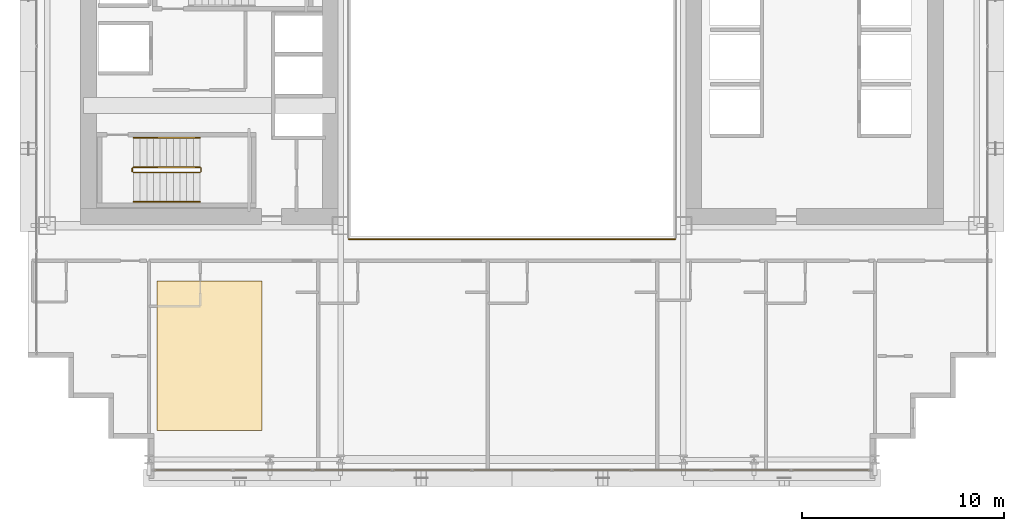
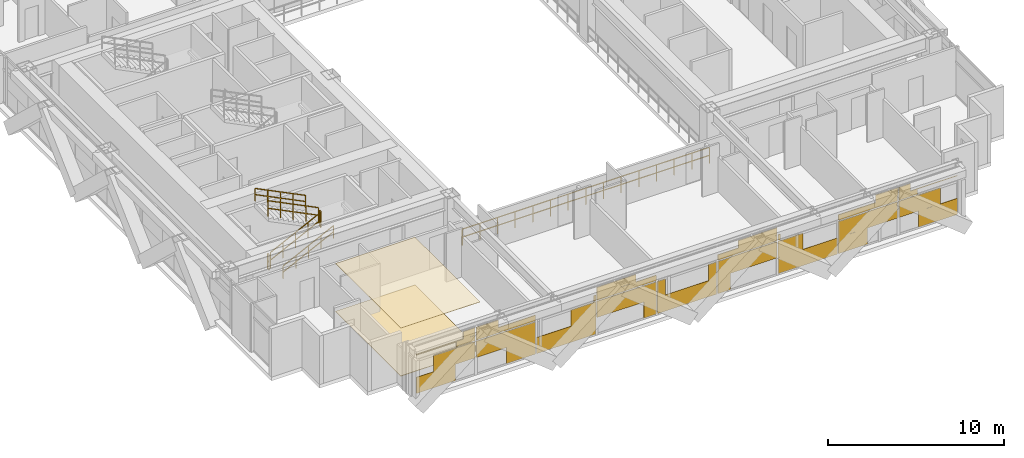
# One storey, part 32 of 35: 7 railings, 3 coverings.
"""IFC4 building model written with IfcOpenShell, lengths in metres."""

from ifc_helpers import new_model, si_unit, direction, frame, origin, origin_2d, place, context, subcontext, project, spatial, polyline, rectangle, outline, extrude, material, layer, layer_set, type_object, element, save


model = new_model("IFC4")

# Units and contexts
model_context = context("Model", 3, precision=1e-05, world=origin(), true_north=direction((0.0, 1.0)))
body_context = subcontext(model_context, "Body", "Model", "MODEL_VIEW")
ifc_project = project(units=[si_unit("LENGTHUNIT", "METRE"), si_unit("AREAUNIT", "SQUARE_METRE"), si_unit("VOLUMEUNIT", "CUBIC_METRE"), si_unit("PLANEANGLEUNIT", "RADIAN"), si_unit("MASSUNIT", "GRAM", prefix="KILO")], contexts=[model_context])

# Site, building, storey
site_placement = place(None, origin())
site = spatial("IfcSite", under=ifc_project, at=site_placement, CompositionType="ELEMENT")
building_placement = place(site_placement, origin())
building = spatial("IfcBuilding", under=site, at=building_placement, Name="Ocotamira Hotel", CompositionType="ELEMENT")
storey_placement = place(building_placement, frame((0.0, 0.0, 63.60009765625)))
storey = spatial("IfcBuildingStorey", under=building, at=storey_placement, Name="L15", CompositionType="ELEMENT", Elevation=63.60009765625)

# Coverings
ifc_material_1 = material(Name="Perforated acoustic gypsum ceiling board", Category="gypsum")
ifc_layer_1 = layer(ifc_material_1, 0.02490234375)
ifc_layer_set_1 = layer_set([ifc_layer_1], Name="Perforated acoustic gypsum ceiling board")
covering_type_1 = type_object("IfcCoveringType", Name="COV-CEIL-25", PredefinedType="CEILING", material=ifc_layer_set_1)
covering_1_placement = place(storey_placement, frame((0.0, 0.0, 3.324951171875)))
element("IfcCovering", 1, at=covering_1_placement, inside=storey, type_object=covering_type_1, Name="L15 Acoustic Ceiling", PredefinedType="CEILING", context=body_context, shape_type="SweptSolid", body=[
    extrude(outline(polyline([(14.39990234375, 4.39990234375), (19.60009765625, 4.39990234375), (19.60009765625, 11.800048828125), (14.39990234375, 11.800048828125), (14.39990234375, 4.39990234375)])), origin(), (0.0, 0.0, 1.0), 0.02490234375),
])
ifc_material_2 = material(Name="Honed desert travertine stone flooring", Category="masonry")
ifc_layer_2 = layer(ifc_material_2, 0.030029296875)
ifc_layer_set_2 = layer_set([ifc_layer_2], Name="Honed desert travertine stone flooring")
covering_type_2 = type_object("IfcCoveringType", Name="COV-FLOR-30", PredefinedType="FLOORING", material=ifc_layer_set_2)
covering_2_placement = place(storey_placement, origin())
element("IfcCovering", 2, at=covering_2_placement, inside=storey, type_object=covering_type_2, Name="L15 Honed Stone Floor Finish", PredefinedType="FLOORING", context=body_context, shape_type="SweptSolid", body=[
    extrude(outline(polyline([(14.39990234375, 4.39990234375), (19.60009765625, 4.39990234375), (19.60009765625, 11.800048828125), (14.39990234375, 11.800048828125), (14.39990234375, 4.39990234375)])), origin(), (0.0, 0.0, 1.0), 0.02978515625),
])
ifc_material_3 = material(Name="Insulated pale-metal aluminium spandrel panel", Category="aluminium")
ifc_layer_3 = layer(ifc_material_3, 0.044921875)
ifc_layer_set_3 = layer_set([ifc_layer_3], Name="Insulated pale-metal aluminium spandrel panel")
covering_type_3 = type_object("IfcCoveringType", Name="COV-INFILL-45", PredefinedType="CLADDING", material=ifc_layer_set_3)
covering_3_placement = place(storey_placement, origin())
element("IfcCovering", 3, at=covering_3_placement, inside=storey, type_object=covering_type_3, Name="L15 Curtain Wall Infill CW-2 CW-L15-S1", PredefinedType="CLADDING", context=body_context, shape_type="SweptSolid", body=[
    extrude(rectangle(XDim=2.556396484375, YDim=0.044921875, at=origin_2d()), frame((15.558837890625, 2.419921875, 0.0751953125), z_axis=(0.0, 0.0, 1.0), x_axis=(1.0, 0.0, 0.0)), (0.0, 0.0, 1.0), 1.117919921875),
    extrude(rectangle(XDim=2.7177734375, YDim=0.044921875, at=origin_2d()), frame((16.756103515625, 2.419921875, 1.194091796875), z_axis=(0.0, 0.0, 1.0), x_axis=(1.0, 0.0, 0.0)), (0.0, 0.0, 1.0), 1.11767578125),
    extrude(rectangle(XDim=3.834716796875, YDim=0.044921875, at=origin_2d()), frame((16.19775390625, 2.419921875, 2.7333984375), z_axis=(0.0, 0.0, 1.0), x_axis=(1.0, 0.0, 0.0)), (0.0, 0.0, 1.0), 0.0302734375),
    extrude(rectangle(XDim=1.2255859375, YDim=0.044921875, at=origin_2d()), frame((17.502197265625, 2.419921875, 2.3876953125), z_axis=(0.0, 0.0, 1.0), x_axis=(1.0, 0.0, 0.0)), (0.0, 0.0, 1.0), 0.344482421875),
    extrude(rectangle(XDim=0.754638671875, YDim=0.044921875, at=origin_2d()), frame((17.73779296875, 2.419921875, 2.7646484375), z_axis=(0.0, 0.0, 1.0), x_axis=(1.0, 0.0, 0.0)), (0.0, 0.0, 1.0), 0.509765625),
    extrude(rectangle(XDim=3.87451171875, YDim=0.044921875, at=origin_2d()), frame((20.13330078125, 2.419921875, 1.194091796875), z_axis=(0.0, 0.0, 1.0), x_axis=(1.0, 0.0, 0.0)), (0.0, 0.0, 1.0), 1.11767578125),
    extrude(rectangle(XDim=1.90771484375, YDim=0.044921875, at=origin_2d()), frame((21.11669921875, 2.419921875, 0.0751953125), z_axis=(0.0, 0.0, 1.0), x_axis=(1.0, 0.0, 0.0)), (0.0, 0.0, 1.0), 1.117919921875),
    extrude(rectangle(XDim=3.87451171875, YDim=0.044921875, at=origin_2d()), frame((20.13330078125, 2.419921875, 2.3876953125), z_axis=(0.0, 0.0, 1.0), x_axis=(1.0, 0.0, 0.0)), (0.0, 0.0, 1.0), 0.375732421875),
    extrude(rectangle(XDim=1.443603515625, YDim=0.044921875, at=origin_2d()), frame((18.917724609375, 2.419921875, 2.7646484375), z_axis=(0.0, 0.0, 1.0), x_axis=(1.0, 0.0, 0.0)), (0.0, 0.0, 1.0), 0.509765625),
    extrude(rectangle(XDim=3.87451171875, YDim=0.044921875, at=origin_2d()), frame((24.0888671875, 2.419921875, 0.0751953125), z_axis=(0.0, 0.0, 1.0), x_axis=(1.0, 0.0, 0.0)), (0.0, 0.0, 1.0), 1.117919921875),
    extrude(rectangle(XDim=1.62890625, YDim=0.044921875, at=origin_2d()), frame((25.2119140625, 2.419921875, 1.194091796875), z_axis=(0.0, 0.0, 1.0), x_axis=(1.0, 0.0, 0.0)), (0.0, 0.0, 1.0), 1.11767578125),
    extrude(rectangle(XDim=0.13671875, YDim=0.044921875, at=origin_2d()), frame((25.957763671875, 2.419921875, 2.3876953125), z_axis=(0.0, 0.0, 1.0), x_axis=(1.0, 0.0, 0.0)), (0.0, 0.0, 1.0), 0.375732421875),
    extrude(rectangle(XDim=3.87451171875, YDim=0.044921875, at=origin_2d()), frame((28.04443359375, 2.419921875, 1.194091796875), z_axis=(0.0, 0.0, 1.0), x_axis=(1.0, 0.0, 0.0)), (0.0, 0.0, 1.0), 1.11767578125),
    extrude(rectangle(XDim=0.81884765625, YDim=0.044921875, at=origin_2d()), frame((29.572265625, 2.419921875, 0.0751953125), z_axis=(0.0, 0.0, 1.0), x_axis=(1.0, 0.0, 0.0)), (0.0, 0.0, 1.0), 1.117919921875),
    extrude(rectangle(XDim=3.87451171875, YDim=0.044921875, at=origin_2d()), frame((28.04443359375, 2.419921875, 2.3876953125), z_axis=(0.0, 0.0, 1.0), x_axis=(1.0, 0.0, 0.0)), (0.0, 0.0, 1.0), 0.375732421875),
    extrude(rectangle(XDim=2.532470703125, YDim=0.044921875, at=origin_2d()), frame((27.373291015625, 2.419921875, 2.7646484375), z_axis=(0.0, 0.0, 1.0), x_axis=(1.0, 0.0, 0.0)), (0.0, 0.0, 1.0), 0.509765625),
    extrude(rectangle(XDim=3.87451171875, YDim=0.044921875, at=origin_2d()), frame((32.0, 2.419921875, 0.0751953125), z_axis=(0.0, 0.0, 1.0), x_axis=(1.0, 0.0, 0.0)), (0.0, 0.0, 1.0), 1.117919921875),
    extrude(rectangle(XDim=0.539794921875, YDim=0.044921875, at=origin_2d()), frame((30.332763671875, 2.419921875, 1.194091796875), z_axis=(0.0, 0.0, 1.0), x_axis=(1.0, 0.0, 0.0)), (0.0, 0.0, 1.0), 1.11767578125),
    extrude(rectangle(XDim=0.539794921875, YDim=0.044921875, at=origin_2d()), frame((33.667236328125, 2.419921875, 1.194091796875), z_axis=(0.0, 0.0, 1.0), x_axis=(1.0, 0.0, 0.0)), (0.0, 0.0, 1.0), 1.11767578125),
    extrude(rectangle(XDim=0.81884765625, YDim=0.044921875, at=origin_2d()), frame((34.427734375, 2.419921875, 0.0751953125), z_axis=(0.0, 0.0, 1.0), x_axis=(1.0, 0.0, 0.0)), (0.0, 0.0, 1.0), 1.117919921875),
    extrude(rectangle(XDim=3.87451171875, YDim=0.044921875, at=origin_2d()), frame((35.95556640625, 2.419921875, 1.194091796875), z_axis=(0.0, 0.0, 1.0), x_axis=(1.0, 0.0, 0.0)), (0.0, 0.0, 1.0), 1.11767578125),
    extrude(rectangle(XDim=3.87451171875, YDim=0.044921875, at=origin_2d()), frame((35.95556640625, 2.419921875, 2.3876953125), z_axis=(0.0, 0.0, 1.0), x_axis=(1.0, 0.0, 0.0)), (0.0, 0.0, 1.0), 0.375732421875),
    extrude(rectangle(XDim=2.532470703125, YDim=0.044921875, at=origin_2d()), frame((36.626708984375, 2.419921875, 2.7646484375), z_axis=(0.0, 0.0, 1.0), x_axis=(1.0, 0.0, 0.0)), (0.0, 0.0, 1.0), 0.509765625),
    extrude(rectangle(XDim=3.87451171875, YDim=0.044921875, at=origin_2d()), frame((39.9111328125, 2.419921875, 0.0751953125), z_axis=(0.0, 0.0, 1.0), x_axis=(1.0, 0.0, 0.0)), (0.0, 0.0, 1.0), 1.117919921875),
    extrude(rectangle(XDim=1.62890625, YDim=0.044921875, at=origin_2d()), frame((38.7880859375, 2.419921875, 1.194091796875), z_axis=(0.0, 0.0, 1.0), x_axis=(1.0, 0.0, 0.0)), (0.0, 0.0, 1.0), 1.11767578125),
    extrude(rectangle(XDim=0.13671875, YDim=0.044921875, at=origin_2d()), frame((38.042236328125, 2.419921875, 2.3876953125), z_axis=(0.0, 0.0, 1.0), x_axis=(1.0, 0.0, 0.0)), (0.0, 0.0, 1.0), 0.375732421875),
    extrude(rectangle(XDim=1.90771484375, YDim=0.044921875, at=origin_2d()), frame((42.88330078125, 2.419921875, 0.0751953125), z_axis=(0.0, 0.0, 1.0), x_axis=(1.0, 0.0, 0.0)), (0.0, 0.0, 1.0), 1.117919921875),
    extrude(rectangle(XDim=3.87451171875, YDim=0.044921875, at=origin_2d()), frame((43.86669921875, 2.419921875, 1.194091796875), z_axis=(0.0, 0.0, 1.0), x_axis=(1.0, 0.0, 0.0)), (0.0, 0.0, 1.0), 1.11767578125),
    extrude(rectangle(XDim=3.87451171875, YDim=0.044921875, at=origin_2d()), frame((43.86669921875, 2.419921875, 2.3876953125), z_axis=(0.0, 0.0, 1.0), x_axis=(1.0, 0.0, 0.0)), (0.0, 0.0, 1.0), 0.375732421875),
    extrude(rectangle(XDim=1.443603515625, YDim=0.044921875, at=origin_2d()), frame((45.082275390625, 2.419921875, 2.7646484375), z_axis=(0.0, 0.0, 1.0), x_axis=(1.0, 0.0, 0.0)), (0.0, 0.0, 1.0), 0.509765625),
    extrude(rectangle(XDim=2.7177734375, YDim=0.044921875, at=origin_2d()), frame((47.243896484375, 2.419921875, 1.194091796875), z_axis=(0.0, 0.0, 1.0), x_axis=(1.0, 0.0, 0.0)), (0.0, 0.0, 1.0), 1.11767578125),
    extrude(rectangle(XDim=2.556396484375, YDim=0.044921875, at=origin_2d()), frame((48.441162109375, 2.419921875, 0.0751953125), z_axis=(0.0, 0.0, 1.0), x_axis=(1.0, 0.0, 0.0)), (0.0, 0.0, 1.0), 1.117919921875),
    extrude(rectangle(XDim=1.2255859375, YDim=0.044921875, at=origin_2d()), frame((46.497802734375, 2.419921875, 2.3876953125), z_axis=(0.0, 0.0, 1.0), x_axis=(1.0, 0.0, 0.0)), (0.0, 0.0, 1.0), 0.344482421875),
    extrude(rectangle(XDim=3.834716796875, YDim=0.044921875, at=origin_2d()), frame((47.80224609375, 2.419921875, 2.7333984375), z_axis=(0.0, 0.0, 1.0), x_axis=(1.0, 0.0, 0.0)), (0.0, 0.0, 1.0), 0.0302734375),
    extrude(rectangle(XDim=0.754638671875, YDim=0.044921875, at=origin_2d()), frame((46.26220703125, 2.419921875, 2.7646484375), z_axis=(0.0, 0.0, 1.0), x_axis=(1.0, 0.0, 0.0)), (0.0, 0.0, 1.0), 0.509765625),
])

# Railings
ifc_material_4 = material(Name="Painted steel stair guardrail", Category="steel")
railing_type_1 = type_object("IfcRailingType", Name="RL-EDGE-1150", PredefinedType="GUARDRAIL", material=ifc_material_4)
railing_1_placement = place(storey_placement, frame((23.89990234375, 13.8798828125, 0.0)))
element("IfcRailing", 4, at=railing_1_placement, inside=storey, type_object=railing_type_1, Name="L15 Central Atrium Edge Guardrail S", PredefinedType="GUARDRAIL", context=body_context, shape_type="SweptSolid", body=[
    extrude(rectangle(XDim=0.048095703125, YDim=0.048095703125, at=origin_2d()), frame((0.0, 0.0, 1.1259765625), z_axis=(1.0, 0.0, 0.0), x_axis=(0.0, 1.0, 0.0)), (0.0, 0.0, 1.0), 16.2001953125),
    extrude(rectangle(XDim=0.048095703125, YDim=0.048095703125, at=origin_2d()), frame((0.0, 0.0, 0.574951171875), z_axis=(1.0, 0.0, 0.0), x_axis=(0.0, 1.0, 0.0)), (0.0, 0.0, 1.0), 16.2001953125),
    extrude(rectangle(XDim=0.0419921875, YDim=0.0419921875, at=origin_2d()), origin(), (0.0, 0.0, 1.0), 1.101806640625),
    extrude(rectangle(XDim=0.0419921875, YDim=0.0419921875, at=origin_2d()), frame((1.1572265625, 0.0, 0.0)), (0.0, 0.0, 1.0), 1.101806640625),
    extrude(rectangle(XDim=0.0419921875, YDim=0.0419921875, at=origin_2d()), frame((2.314208984375, 0.0, 0.0)), (0.0, 0.0, 1.0), 1.101806640625),
    extrude(rectangle(XDim=0.0419921875, YDim=0.0419921875, at=origin_2d()), frame((3.471435546875, 0.0, 0.0)), (0.0, 0.0, 1.0), 1.101806640625),
    extrude(rectangle(XDim=0.0419921875, YDim=0.0419921875, at=origin_2d()), frame((4.628662109375, 0.0, 0.0)), (0.0, 0.0, 1.0), 1.101806640625),
    extrude(rectangle(XDim=0.0419921875, YDim=0.0419921875, at=origin_2d()), frame((5.785888671875, 0.0, 0.0)), (0.0, 0.0, 1.0), 1.101806640625),
    extrude(rectangle(XDim=0.0419921875, YDim=0.0419921875, at=origin_2d()), frame((6.94287109375, 0.0, 0.0)), (0.0, 0.0, 1.0), 1.101806640625),
    extrude(rectangle(XDim=0.0419921875, YDim=0.0419921875, at=origin_2d()), frame((8.10009765625, 0.0, 0.0)), (0.0, 0.0, 1.0), 1.101806640625),
    extrude(rectangle(XDim=0.0419921875, YDim=0.0419921875, at=origin_2d()), frame((9.25732421875, 0.0, 0.0)), (0.0, 0.0, 1.0), 1.101806640625),
    extrude(rectangle(XDim=0.0419921875, YDim=0.0419921875, at=origin_2d()), frame((10.414306640625, 0.0, 0.0)), (0.0, 0.0, 1.0), 1.101806640625),
    extrude(rectangle(XDim=0.0419921875, YDim=0.0419921875, at=origin_2d()), frame((11.571533203125, 0.0, 0.0)), (0.0, 0.0, 1.0), 1.101806640625),
    extrude(rectangle(XDim=0.0419921875, YDim=0.0419921875, at=origin_2d()), frame((12.728759765625, 0.0, 0.0)), (0.0, 0.0, 1.0), 1.101806640625),
    extrude(rectangle(XDim=0.0419921875, YDim=0.0419921875, at=origin_2d()), frame((13.885986328125, 0.0, 0.0)), (0.0, 0.0, 1.0), 1.101806640625),
    extrude(rectangle(XDim=0.0419921875, YDim=0.0419921875, at=origin_2d()), frame((15.04296875, 0.0, 0.0)), (0.0, 0.0, 1.0), 1.101806640625),
    extrude(rectangle(XDim=0.0419921875, YDim=0.0419921875, at=origin_2d()), frame((16.2001953125, 0.0, 0.0)), (0.0, 0.0, 1.0), 1.101806640625),
])
ifc_material_5 = material(Name="Brushed stainless steel handrail", Category="steel")
railing_type_2 = type_object("IfcRailingType", Name="RL-HAND-900", PredefinedType="HANDRAIL", material=ifc_material_5)
railing_2_placement = place(storey_placement, frame((13.22998046875, 15.719970703125, 0.3271484375)))
element("IfcRailing", 5, at=railing_2_placement, inside=storey, type_object=railing_type_2, Name="L15 ST-1 stair handrail 1", PredefinedType="HANDRAIL", context=body_context, shape_type="SweptSolid", body=[
    extrude(rectangle(XDim=0.048095703125, YDim=0.048095703125, at=origin_2d()), frame((0.0, 0.0, 0.8759765625), z_axis=(0.895893744519, 0.0, 0.4442683857), x_axis=(0.0, 1.0, 0.0)), (0.0, 0.0, 1.0), 3.68359375),
    extrude(rectangle(XDim=0.048095703125, YDim=0.048095703125, at=origin_2d()), frame((0.0, 0.0, 0.449951171875), z_axis=(0.895893744519, 0.0, 0.4442683857), x_axis=(0.0, 1.0, 0.0)), (0.0, 0.0, 1.0), 3.68359375),
    extrude(rectangle(XDim=0.0419921875, YDim=0.0419921875, at=origin_2d()), origin(), (0.0, 0.0, 1.0), 0.851806640625),
    extrude(rectangle(XDim=0.0419921875, YDim=0.0419921875, at=origin_2d()), frame((0.824951171875, 0.0, 0.4091796875)), (0.0, 0.0, 1.0), 0.851806640625),
    extrude(rectangle(XDim=0.0419921875, YDim=0.0419921875, at=origin_2d()), frame((1.64990234375, 0.0, 0.818359375)), (0.0, 0.0, 1.0), 0.851806640625),
    extrude(rectangle(XDim=0.0419921875, YDim=0.0419921875, at=origin_2d()), frame((2.47509765625, 0.0, 1.227294921875)), (0.0, 0.0, 1.0), 0.851806640625),
    extrude(rectangle(XDim=0.0419921875, YDim=0.0419921875, at=origin_2d()), frame((3.300048828125, 0.0, 1.636474609375)), (0.0, 0.0, 1.0), 0.851806640625),
])
railing_3_placement = place(storey_placement, frame((16.530029296875, 18.89990234375, 2.127197265625)))
element("IfcRailing", 6, at=railing_3_placement, inside=storey, type_object=railing_type_2, Name="L15 ST-1 stair handrail 2", PredefinedType="HANDRAIL", context=body_context, shape_type="SweptSolid", body=[
    extrude(rectangle(XDim=0.048095703125, YDim=0.048095703125, at=origin_2d()), frame((0.0, 0.0, 0.8759765625), z_axis=(-0.895920123917, 0.0, 0.444215186098), x_axis=(0.0, -1.0, 0.0)), (0.0, 0.0, 1.0), 3.683349609375),
    extrude(rectangle(XDim=0.048095703125, YDim=0.048095703125, at=origin_2d()), frame((0.0, 0.0, 0.449951171875), z_axis=(-0.895920123917, 0.0, 0.444215186098), x_axis=(0.0, -1.0, 0.0)), (0.0, 0.0, 1.0), 3.683349609375),
    extrude(rectangle(XDim=0.0419921875, YDim=0.0419921875, at=origin_2d()), origin(), (0.0, 0.0, 1.0), 0.851806640625),
    extrude(rectangle(XDim=0.0419921875, YDim=0.0419921875, at=origin_2d()), frame((-0.824951171875, 0.0, 0.4091796875)), (0.0, 0.0, 1.0), 0.851806640625),
    extrude(rectangle(XDim=0.0419921875, YDim=0.0419921875, at=origin_2d()), frame((-1.64990234375, 0.0, 0.818115234375)), (0.0, 0.0, 1.0), 0.851806640625),
    extrude(rectangle(XDim=0.0419921875, YDim=0.0419921875, at=origin_2d()), frame((-2.47509765625, 0.0, 1.22705078125)), (0.0, 0.0, 1.0), 0.851806640625),
    extrude(rectangle(XDim=0.0419921875, YDim=0.0419921875, at=origin_2d()), frame((-3.300048828125, 0.0, 1.63623046875)), (0.0, 0.0, 1.0), 0.851806640625),
])
railing_type_3 = type_object("IfcRailingType", Name="RL-STAIR-1100", PredefinedType="GUARDRAIL", material=ifc_material_4)
railing_4_placement = place(storey_placement, frame((13.22998046875, 17.179931640625, 0.16357421875)))
element("IfcRailing", 7, at=railing_4_placement, inside=storey, type_object=railing_type_3, Name="L15 ST-1 stair guard 1", PredefinedType="GUARDRAIL", context=body_context, shape_type="SweptSolid", body=[
    extrude(rectangle(XDim=0.048095703125, YDim=0.048095703125, at=origin_2d()), frame((0.0, 0.0, 1.076171875), z_axis=(0.895920123917, 0.0, 0.444215186098), x_axis=(0.0, 1.0, 0.0)), (0.0, 0.0, 1.0), 3.683349609375),
    extrude(rectangle(XDim=0.048095703125, YDim=0.048095703125, at=origin_2d()), frame((0.0, 0.0, 0.550048828125), z_axis=(0.895920123917, 0.0, 0.444215186098), x_axis=(0.0, 1.0, 0.0)), (0.0, 0.0, 1.0), 3.683349609375),
    extrude(rectangle(XDim=0.0419921875, YDim=0.0419921875, at=origin_2d()), origin(), (0.0, 0.0, 1.0), 1.052001953125),
    extrude(rectangle(XDim=0.0419921875, YDim=0.0419921875, at=origin_2d()), frame((0.824951171875, 0.0, 0.4091796875)), (0.0, 0.0, 1.0), 1.052001953125),
    extrude(rectangle(XDim=0.0419921875, YDim=0.0419921875, at=origin_2d()), frame((1.64990234375, 0.0, 0.818115234375)), (0.0, 0.0, 1.0), 1.052001953125),
    extrude(rectangle(XDim=0.0419921875, YDim=0.0419921875, at=origin_2d()), frame((2.47509765625, 0.0, 1.22705078125)), (0.0, 0.0, 1.0), 1.052001953125),
    extrude(rectangle(XDim=0.0419921875, YDim=0.0419921875, at=origin_2d()), frame((3.300048828125, 0.0, 1.63623046875)), (0.0, 0.0, 1.0), 1.052001953125),
])
railing_5_placement = place(storey_placement, frame((16.580078125, 17.22998046875, 1.7998046875)))
element("IfcRailing", 8, at=railing_5_placement, inside=storey, type_object=railing_type_3, Name="L15 ST-1 stair guard 2", PredefinedType="GUARDRAIL", context=body_context, shape_type="SweptSolid", body=[
    extrude(rectangle(XDim=0.048095703125, YDim=0.048095703125, at=origin_2d()), frame((0.0, 0.0, 1.076171875), z_axis=(0.0, 1.0, 0.0), x_axis=(-1.0, 0.0, 0.0)), (0.0, 0.0, 1.0), 0.159912109375),
    extrude(rectangle(XDim=0.048095703125, YDim=0.048095703125, at=origin_2d()), frame((0.0, 0.0, 0.550048828125), z_axis=(0.0, 1.0, 0.0), x_axis=(-1.0, 0.0, 0.0)), (0.0, 0.0, 1.0), 0.159912109375),
    extrude(rectangle(XDim=0.0419921875, YDim=0.0419921875, at=origin_2d()), origin(), (0.0, 0.0, 1.0), 1.052001953125),
    extrude(rectangle(XDim=0.0419921875, YDim=0.0419921875, at=origin_2d()), frame((0.0, 0.159912109375, 0.0)), (0.0, 0.0, 1.0), 1.052001953125),
])
railing_6_placement = place(storey_placement, frame((16.530029296875, 17.43994140625, 1.963623046875)))
element("IfcRailing", 9, at=railing_6_placement, inside=storey, type_object=railing_type_3, Name="L15 ST-1 stair guard 3", PredefinedType="GUARDRAIL", context=body_context, shape_type="SweptSolid", body=[
    extrude(rectangle(XDim=0.048095703125, YDim=0.048095703125, at=origin_2d()), frame((0.0, 0.0, 1.076171875), z_axis=(-0.895920123917, 0.0, 0.444215186098), x_axis=(0.0, -1.0, 0.0)), (0.0, 0.0, 1.0), 3.683349609375),
    extrude(rectangle(XDim=0.048095703125, YDim=0.048095703125, at=origin_2d()), frame((0.0, 0.0, 0.550048828125), z_axis=(-0.895920123917, 0.0, 0.444215186098), x_axis=(0.0, -1.0, 0.0)), (0.0, 0.0, 1.0), 3.683349609375),
    extrude(rectangle(XDim=0.0419921875, YDim=0.0419921875, at=origin_2d()), origin(), (0.0, 0.0, 1.0), 1.052001953125),
    extrude(rectangle(XDim=0.0419921875, YDim=0.0419921875, at=origin_2d()), frame((-0.824951171875, 0.0, 0.4091796875)), (0.0, 0.0, 1.0), 1.052001953125),
    extrude(rectangle(XDim=0.0419921875, YDim=0.0419921875, at=origin_2d()), frame((-1.64990234375, 0.0, 0.818115234375)), (0.0, 0.0, 1.0), 1.052001953125),
    extrude(rectangle(XDim=0.0419921875, YDim=0.0419921875, at=origin_2d()), frame((-2.47509765625, 0.0, 1.22705078125)), (0.0, 0.0, 1.0), 1.052001953125),
    extrude(rectangle(XDim=0.0419921875, YDim=0.0419921875, at=origin_2d()), frame((-3.300048828125, 0.0, 1.63623046875)), (0.0, 0.0, 1.0), 1.052001953125),
])
railing_7_placement = place(storey_placement, frame((13.179931640625, 17.22998046875, 0.0)))
element("IfcRailing", 10, at=railing_7_placement, inside=storey, type_object=railing_type_3, Name="L15 ST-1 stair guard 4", PredefinedType="GUARDRAIL", context=body_context, shape_type="SweptSolid", body=[
    extrude(rectangle(XDim=0.048095703125, YDim=0.048095703125, at=origin_2d()), frame((0.0, 0.0, 1.076171875), z_axis=(0.0, 1.0, 0.0), x_axis=(-1.0, 0.0, 0.0)), (0.0, 0.0, 1.0), 0.159912109375),
    extrude(rectangle(XDim=0.048095703125, YDim=0.048095703125, at=origin_2d()), frame((0.0, 0.0, 0.550048828125), z_axis=(0.0, 1.0, 0.0), x_axis=(-1.0, 0.0, 0.0)), (0.0, 0.0, 1.0), 0.159912109375),
    extrude(rectangle(XDim=0.0419921875, YDim=0.0419921875, at=origin_2d()), origin(), (0.0, 0.0, 1.0), 1.052001953125),
    extrude(rectangle(XDim=0.0419921875, YDim=0.0419921875, at=origin_2d()), frame((0.0, 0.159912109375, 0.0)), (0.0, 0.0, 1.0), 1.052001953125),
])

save(model, "model.ifc")
